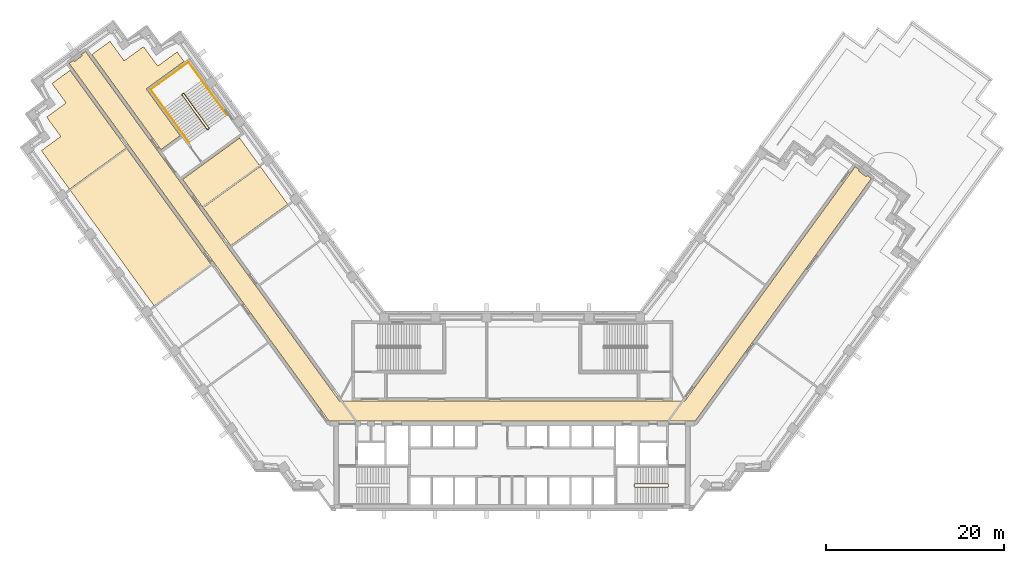
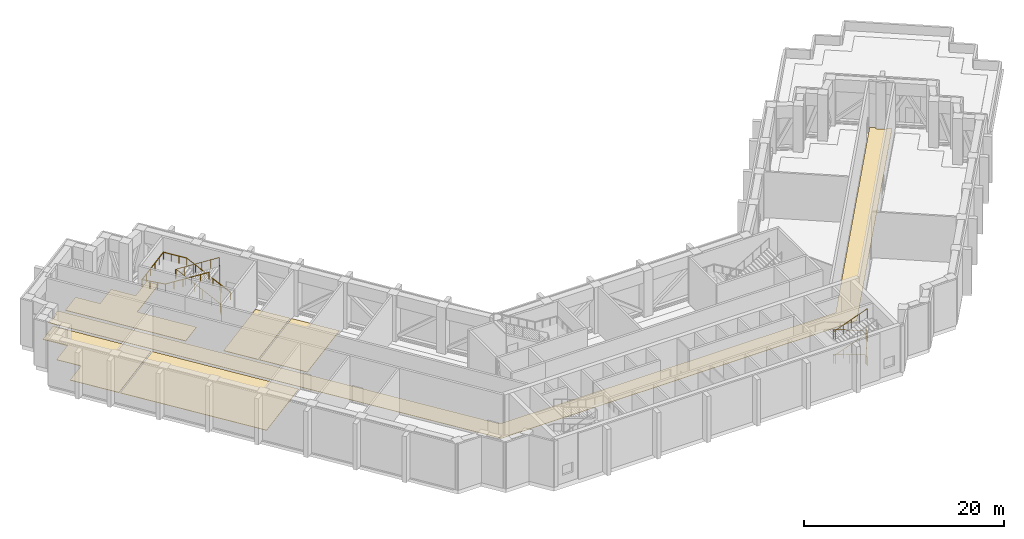
# One storey, part 17 of 18: 6 coverings, 3 railings.
"""IFC4 building model written with IfcOpenShell, lengths in metres."""

from ifc_helpers import new_model, si_unit, direction, frame, origin, origin_2d, place, context, subcontext, project, spatial, polyline, circle, outline, extrude, material, layer, layer_set, type_object, element, save


model = new_model("IFC4")

# Units and contexts
model_context = context("Model", 3, precision=1e-05, world=origin(), true_north=direction((0.0, 1.0)))
body_context = subcontext(model_context, "Body", "Model", "MODEL_VIEW")
ifc_project = project(units=[si_unit("LENGTHUNIT", "METRE"), si_unit("AREAUNIT", "SQUARE_METRE"), si_unit("VOLUMEUNIT", "CUBIC_METRE"), si_unit("PLANEANGLEUNIT", "RADIAN"), si_unit("MASSUNIT", "GRAM", prefix="KILO")], contexts=[model_context])

# Site, building, storey
site_placement = place(None, origin())
site = spatial("IfcSite", under=ifc_project, at=site_placement, CompositionType="ELEMENT")
building_placement = place(site_placement, origin())
building = spatial("IfcBuilding", under=site, at=building_placement, Name="Quipu Civic Tower", CompositionType="ELEMENT")
storey_placement = place(building_placement, frame((0.0, 0.0, 79.0)))
storey = spatial("IfcBuildingStorey", under=building, at=storey_placement, Name="L18", CompositionType="ELEMENT", Elevation=79.0)

# Coverings
ifc_material_1 = material(Name="Sealed cement screed")
ifc_layer_1 = layer(ifc_material_1, 0.050048828125)
ifc_layer_set_1 = layer_set([ifc_layer_1], Name="Sealed cement screed")
covering_type_1 = type_object("IfcCoveringType", Name="Sealed screed floor finish 50", PredefinedType="FLOORING", material=ifc_layer_set_1)
covering_1_placement = place(storey_placement, origin())
element("IfcCovering", 1, at=covering_1_placement, inside=storey, type_object=covering_type_1, Name="Sealed screed floor finish 50", PredefinedType="FLOORING", context=body_context, shape_type="SweptSolid", body=[
    extrude(outline(polyline([(-47.237060546875, 40.074951171875), (-45.2060546875, 41.549072265625), (-43.617919921875, 39.365966796875), (-41.43408203125, 40.951904296875), (-39.846923828125, 38.76806640625), (-37.6630859375, 40.35498046875), (-36.89404296875, 39.294921875), (-41.139892578125, 36.2080078125), (-37.320068359375, 30.949951171875), (-39.472900390625, 29.386962890625), (-47.237060546875, 40.074951171875)])), origin(), (0.0, 0.0, 1.0), 0.050048828125),
])
covering_2_placement = place(storey_placement, origin())
element("IfcCovering", 2, at=covering_2_placement, inside=storey, type_object=covering_type_1, Name="Sealed screed floor finish 50", PredefinedType="FLOORING", context=body_context, shape_type="SweptSolid", body=[
    extrude(outline(polyline([(-49.68603515625, 24.81591796875), (-43.285888671875, 29.465087890625), (-33.846923828125, 16.471923828125), (-40.24609375, 11.822998046875), (-49.68603515625, 24.81591796875)])), origin(), (0.0, 0.0, 1.0), 0.050048828125),
])
covering_3_placement = place(storey_placement, origin())
element("IfcCovering", 3, at=covering_3_placement, inside=storey, type_object=covering_type_1, Name="Sealed screed floor finish 50", PredefinedType="FLOORING", context=body_context, shape_type="SweptSolid", body=[
    extrude(outline(polyline([(-52.9208984375, 29.27001953125), (-50.738037109375, 30.85498046875), (-52.323974609375, 33.041015625), (-50.14111328125, 34.6279296875), (-51.72705078125, 36.81201171875), (-49.696044921875, 38.287109375), (-43.368896484375, 29.577880859375), (-49.76904296875, 24.928955078125), (-52.9208984375, 29.27001953125)])), origin(), (0.0, 0.0, 1.0), 0.050048828125),
])
covering_4_placement = place(storey_placement, origin())
element("IfcCovering", 4, at=covering_4_placement, inside=storey, type_object=covering_type_1, Name="Sealed screed floor finish 50", PredefinedType="FLOORING", context=body_context, shape_type="SweptSolid", body=[
    extrude(outline(polyline([(-37.0380859375, 26.0380859375), (-30.638916015625, 30.68701171875), (-28.403076171875, 27.60791015625), (-34.802978515625, 22.958984375), (-37.0380859375, 26.0380859375)])), origin(), (0.0, 0.0, 1.0), 0.050048828125),
])
covering_5_placement = place(storey_placement, origin())
element("IfcCovering", 5, at=covering_5_placement, inside=storey, type_object=covering_type_1, Name="Sealed screed floor finish 50", PredefinedType="FLOORING", context=body_context, shape_type="SweptSolid", body=[
    extrude(outline(polyline([(-34.719970703125, 22.845947265625), (-28.320068359375, 27.4951171875), (-25.22900390625, 23.239013671875), (-31.6279296875, 18.591064453125), (-34.719970703125, 22.845947265625)])), origin(), (0.0, 0.0, 1.0), 0.050048828125),
])

# Railings
ifc_material_2 = material(Name="Stainless steel", Category="steel")
railing_type_1 = type_object("IfcRailingType", Name="Stair guard 1100", PredefinedType="GUARDRAIL", material=ifc_material_2)
railing_1_placement = place(storey_placement, frame((17.5, -8.199951171875, 0.115478515625)))
element("IfcRailing", 6, at=railing_1_placement, inside=storey, type_object=railing_type_1, Name="Stair 2 guard", PredefinedType="GUARDRAIL", context=body_context, shape_type="SweptSolid", body=[
    extrude(circle(Radius=0.02392578125, at=origin_2d()), frame((0.0, 0.0, 1.076171875), z_axis=(-0.937193329374, 0.0, 0.348810354458), x_axis=(0.0, -1.0, 0.0)), (0.0, 0.0, 1.0), 3.96923828125),
    extrude(circle(Radius=0.02392578125, at=origin_2d()), frame((-3.719970703125, 0.0, 2.46044921875), z_axis=(-0.707106781187, -0.707106781187, 0.0), x_axis=(0.707106781187, -0.707106781187, 0.0)), (0.0, 0.0, 1.0), 0.07080078125),
    extrude(circle(Radius=0.02392578125, at=origin_2d()), frame((-3.77001953125, -0.050048828125, 2.46044921875), z_axis=(0.0, -1.0, 0.0), x_axis=(1.0, 0.0, 0.0)), (0.0, 0.0, 1.0), 0.25),
    extrude(circle(Radius=0.02392578125, at=origin_2d()), frame((-3.77001953125, -0.300048828125, 2.46044921875), z_axis=(0.3695169537, -0.3695169537, 0.852592776099), x_axis=(0.707106781187, 0.707106781187, 0.0)), (0.0, 0.0, 1.0), 0.135498046875),
    extrude(circle(Radius=0.02392578125, at=origin_2d()), frame((-3.719970703125, -0.35009765625, 2.576171875), z_axis=(0.937193329374, 0.0, 0.348810354458), x_axis=(0.0, 1.0, 0.0)), (0.0, 0.0, 1.0), 3.96923828125),
    extrude(circle(Radius=0.02392578125, at=origin_2d()), frame((0.0, -0.35009765625, 3.96044921875), z_axis=(0.164529134168, 0.986372223864, 0.0), x_axis=(-0.986372223864, 0.164529134168, 0.0)), (0.0, 0.0, 1.0), 0.30419921875),
    extrude(circle(Radius=0.02392578125, at=origin_2d()), frame((0.050048828125, -0.050048828125, 3.96044921875), z_axis=(0.0, -1.0, 0.0), x_axis=(1.0, 0.0, 0.0)), (0.0, 0.0, 1.0), 0.25),
    extrude(circle(Radius=0.02392578125, at=origin_2d()), frame((0.050048828125, -0.300048828125, 3.96044921875), z_axis=(-0.153818488509, 0.922160596963, 0.354908024706), x_axis=(-0.986372223864, -0.164529134168, 0.0)), (0.0, 0.0, 1.0), 0.325439453125),
    extrude(circle(Radius=0.02392578125, at=origin_2d()), frame((0.0, 0.0, 4.076171875), z_axis=(-0.937193329374, 0.0, 0.348810354458), x_axis=(0.0, -1.0, 0.0)), (0.0, 0.0, 1.0), 3.96923828125),
    extrude(circle(Radius=0.02392578125, at=origin_2d()), frame((-3.719970703125, 0.0, 5.46044921875), z_axis=(-0.707106781187, -0.707106781187, 0.0), x_axis=(0.707106781187, -0.707106781187, 0.0)), (0.0, 0.0, 1.0), 0.07080078125),
    extrude(circle(Radius=0.02392578125, at=origin_2d()), frame((-3.77001953125, -0.050048828125, 5.46044921875), z_axis=(0.0, -1.0, 0.0), x_axis=(1.0, 0.0, 0.0)), (0.0, 0.0, 1.0), 0.25),
    extrude(circle(Radius=0.02392578125, at=origin_2d()), frame((-3.77001953125, -0.300048828125, 5.46044921875), z_axis=(0.3695169537, -0.3695169537, 0.852592776099), x_axis=(0.707106781187, 0.707106781187, 0.0)), (0.0, 0.0, 1.0), 0.135498046875),
    extrude(circle(Radius=0.02392578125, at=origin_2d()), frame((-3.719970703125, -0.35009765625, 5.576171875), z_axis=(0.937193329374, 0.0, 0.348810354458), x_axis=(0.0, 1.0, 0.0)), (0.0, 0.0, 1.0), 3.96923828125),
    extrude(circle(Radius=0.02392578125, at=origin_2d()), frame((0.0, -0.35009765625, 6.96044921875), z_axis=(0.008330771543, 0.049943991347, -0.998717275296), x_axis=(-0.986372223864, 0.164529134168, 0.0)), (0.0, 0.0, 1.0), 6.0078125),
    extrude(circle(Radius=0.02392578125, at=origin_2d()), frame((0.050048828125, -0.050048828125, 0.96044921875), z_axis=(0.0, -1.0, 0.0), x_axis=(1.0, 0.0, 0.0)), (0.0, 0.0, 1.0), 0.25),
    extrude(circle(Radius=0.02099609375, at=origin_2d()), origin(), (0.0, 0.0, 1.0), 1.052001953125),
    extrude(circle(Radius=0.02099609375, at=origin_2d()), frame((-0.929931640625, 0.0, 0.34619140625)), (0.0, 0.0, 1.0), 1.052001953125),
    extrude(circle(Radius=0.02099609375, at=origin_2d()), frame((-1.85986328125, 0.0, 0.6923828125)), (0.0, 0.0, 1.0), 1.052001953125),
    extrude(circle(Radius=0.02099609375, at=origin_2d()), frame((-2.7900390625, 0.0, 1.038330078125)), (0.0, 0.0, 1.0), 1.052001953125),
    extrude(circle(Radius=0.02099609375, at=origin_2d()), frame((-3.719970703125, 0.0, 1.384521484375)), (0.0, 0.0, 1.0), 1.052001953125),
    extrude(circle(Radius=0.02099609375, at=origin_2d()), frame((-3.77001953125, -0.050048828125, 1.384521484375)), (0.0, 0.0, 1.0), 1.052001953125),
    extrude(circle(Radius=0.02099609375, at=origin_2d()), frame((-3.77001953125, -0.300048828125, 1.384521484375)), (0.0, 0.0, 1.0), 1.052001953125),
    extrude(circle(Radius=0.02099609375, at=origin_2d()), frame((-3.719970703125, -0.35009765625, 1.5)), (0.0, 0.0, 1.0), 1.052001953125),
    extrude(circle(Radius=0.02099609375, at=origin_2d()), frame((-2.7900390625, -0.35009765625, 1.84619140625)), (0.0, 0.0, 1.0), 1.052001953125),
    extrude(circle(Radius=0.02099609375, at=origin_2d()), frame((-1.85986328125, -0.35009765625, 2.1923828125)), (0.0, 0.0, 1.0), 1.052001953125),
    extrude(circle(Radius=0.02099609375, at=origin_2d()), frame((-0.929931640625, -0.35009765625, 2.538330078125)), (0.0, 0.0, 1.0), 1.052001953125),
    extrude(circle(Radius=0.02099609375, at=origin_2d()), frame((0.0, -0.35009765625, 2.884521484375)), (0.0, 0.0, 1.0), 1.052001953125),
    extrude(circle(Radius=0.02099609375, at=origin_2d()), frame((0.050048828125, -0.050048828125, 2.884521484375)), (0.0, 0.0, 1.0), 1.052001953125),
    extrude(circle(Radius=0.02099609375, at=origin_2d()), frame((0.050048828125, -0.300048828125, 2.884521484375)), (0.0, 0.0, 1.0), 1.052001953125),
    extrude(circle(Radius=0.02099609375, at=origin_2d()), frame((0.0, 0.0, 3.0)), (0.0, 0.0, 1.0), 1.052001953125),
    extrude(circle(Radius=0.02099609375, at=origin_2d()), frame((-0.929931640625, 0.0, 3.34619140625)), (0.0, 0.0, 1.0), 1.052001953125),
    extrude(circle(Radius=0.02099609375, at=origin_2d()), frame((-1.85986328125, 0.0, 3.6923828125)), (0.0, 0.0, 1.0), 1.052001953125),
    extrude(circle(Radius=0.02099609375, at=origin_2d()), frame((-2.7900390625, 0.0, 4.038330078125)), (0.0, 0.0, 1.0), 1.052001953125),
    extrude(circle(Radius=0.02099609375, at=origin_2d()), frame((-3.719970703125, 0.0, 4.384521484375)), (0.0, 0.0, 1.0), 1.052001953125),
    extrude(circle(Radius=0.02099609375, at=origin_2d()), frame((-3.77001953125, -0.050048828125, 4.384521484375)), (0.0, 0.0, 1.0), 1.052001953125),
    extrude(circle(Radius=0.02099609375, at=origin_2d()), frame((-3.77001953125, -0.300048828125, 4.384521484375)), (0.0, 0.0, 1.0), 1.052001953125),
    extrude(circle(Radius=0.02099609375, at=origin_2d()), frame((-3.719970703125, -0.35009765625, 4.5)), (0.0, 0.0, 1.0), 1.052001953125),
    extrude(circle(Radius=0.02099609375, at=origin_2d()), frame((-2.7900390625, -0.35009765625, 4.84619140625)), (0.0, 0.0, 1.0), 1.052001953125),
    extrude(circle(Radius=0.02099609375, at=origin_2d()), frame((-1.85986328125, -0.35009765625, 5.1923828125)), (0.0, 0.0, 1.0), 1.052001953125),
    extrude(circle(Radius=0.02099609375, at=origin_2d()), frame((-0.929931640625, -0.35009765625, 5.538330078125)), (0.0, 0.0, 1.0), 1.052001953125),
    extrude(circle(Radius=0.02099609375, at=origin_2d()), frame((0.0, -0.35009765625, 5.884521484375)), (0.0, 0.0, 1.0), 1.052001953125),
    extrude(circle(Radius=0.02099609375, at=origin_2d()), frame((0.00830078125, -0.300048828125, 4.884521484375)), (0.0, 0.0, 1.0), 1.052001953125),
    extrude(circle(Radius=0.02099609375, at=origin_2d()), frame((0.0166015625, -0.25, 3.884521484375)), (0.0, 0.0, 1.0), 1.052001953125),
    extrude(circle(Radius=0.02099609375, at=origin_2d()), frame((0.02490234375, -0.2001953125, 2.884521484375)), (0.0, 0.0, 1.0), 1.052001953125),
    extrude(circle(Radius=0.02099609375, at=origin_2d()), frame((0.033447265625, -0.150146484375, 1.884521484375)), (0.0, 0.0, 1.0), 1.052001953125),
    extrude(circle(Radius=0.02099609375, at=origin_2d()), frame((0.041748046875, -0.10009765625, 0.884521484375)), (0.0, 0.0, 1.0), 1.052001953125),
    extrude(circle(Radius=0.02099609375, at=origin_2d()), frame((0.050048828125, -0.050048828125, -0.115478515625)), (0.0, 0.0, 1.0), 1.052001953125),
    extrude(circle(Radius=0.02099609375, at=origin_2d()), frame((0.050048828125, -0.300048828125, -0.115478515625)), (0.0, 0.0, 1.0), 1.052001953125),
])
railing_2_placement = place(storey_placement, frame((-34.078857421875, 31.79736328125, 0.176513671875)))
element("IfcRailing", 7, at=railing_2_placement, inside=storey, type_object=railing_type_1, Name="Stair 6 guard", PredefinedType="GUARDRAIL", context=body_context, shape_type="SweptSolid", body=[
    extrude(circle(Radius=0.02392578125, at=origin_2d()), frame((0.0, 0.0, 1.076171875), z_axis=(-0.506622290629, 0.697329019968, 0.507016856276), x_axis=(-0.809026317077, -0.587772420479, 0.0)), (0.0, 0.0, 1.0), 5.56884765625),
    extrude(circle(Radius=0.02392578125, at=origin_2d()), frame((-2.8212890625, 3.88330078125, 3.8994140625), z_axis=(-0.987846838465, 0.155430446612, 0.0), x_axis=(-0.155430446612, -0.987846838465, 0.0)), (0.0, 0.0, 1.0), 0.07080078125),
    extrude(circle(Radius=0.02392578125, at=origin_2d()), frame((-2.89111328125, 3.894287109375, 3.8994140625), z_axis=(-0.809649071907, -0.586914287065, 0.0), x_axis=(0.586914287065, -0.809649071907, 0.0)), (0.0, 0.0, 1.0), 0.150146484375),
    extrude(circle(Radius=0.02392578125, at=origin_2d()), frame((-3.0126953125, 3.80615234375, 3.8994140625), z_axis=(-0.057780222547, -0.367225414408, 0.928335575584), x_axis=(0.987846838465, -0.155430446612, 0.0)), (0.0, 0.0, 1.0), 0.190185546875),
    extrude(circle(Radius=0.02392578125, at=origin_2d()), frame((-3.023681640625, 3.736328125, 4.076171875), z_axis=(0.506622290629, -0.697329019968, 0.507016856276), x_axis=(0.809026317077, 0.587772420479, 0.0)), (0.0, 0.0, 1.0), 5.56884765625),
    extrude(circle(Radius=0.02392578125, at=origin_2d()), frame((-0.202392578125, -0.14697265625, 6.8994140625), z_axis=(0.031882188822, 0.012850474066, -0.999409021048), x_axis=(-0.373837031195, 0.92749440651, 0.0)), (0.0, 0.0, 1.0), 6.003662109375),
    extrude(circle(Radius=0.02392578125, at=origin_2d()), frame((-0.010986328125, -0.06982421875, 0.8994140625), z_axis=(-0.809087927272, -0.587687609145, 0.0), x_axis=(0.587687609145, -0.809087927272, 0.0)), (0.0, 0.0, 1.0), 0.14990234375),
    extrude(circle(Radius=0.02099609375, at=origin_2d()), origin(), (0.0, 0.0, 1.0), 1.052001953125),
    extrude(circle(Radius=0.02099609375, at=origin_2d()), frame((-0.564208984375, 0.776611328125, 0.564697265625)), (0.0, 0.0, 1.0), 1.052001953125),
    extrude(circle(Radius=0.02099609375, at=origin_2d()), frame((-1.12841796875, 1.55322265625, 1.12939453125)), (0.0, 0.0, 1.0), 1.052001953125),
    extrude(circle(Radius=0.02099609375, at=origin_2d()), frame((-1.69287109375, 2.330078125, 1.694091796875)), (0.0, 0.0, 1.0), 1.052001953125),
    extrude(circle(Radius=0.02099609375, at=origin_2d()), frame((-2.257080078125, 3.106689453125, 2.2587890625)), (0.0, 0.0, 1.0), 1.052001953125),
    extrude(circle(Radius=0.02099609375, at=origin_2d()), frame((-2.8212890625, 3.88330078125, 2.823486328125)), (0.0, 0.0, 1.0), 1.052001953125),
    extrude(circle(Radius=0.02099609375, at=origin_2d()), frame((-2.89111328125, 3.894287109375, 2.823486328125)), (0.0, 0.0, 1.0), 1.052001953125),
    extrude(circle(Radius=0.02099609375, at=origin_2d()), frame((-3.0126953125, 3.80615234375, 2.823486328125)), (0.0, 0.0, 1.0), 1.052001953125),
    extrude(circle(Radius=0.02099609375, at=origin_2d()), frame((-3.023681640625, 3.736328125, 3.0)), (0.0, 0.0, 1.0), 1.052001953125),
    extrude(circle(Radius=0.02099609375, at=origin_2d()), frame((-2.45947265625, 2.959716796875, 3.564697265625)), (0.0, 0.0, 1.0), 1.052001953125),
    extrude(circle(Radius=0.02099609375, at=origin_2d()), frame((-1.895263671875, 2.18310546875, 4.12939453125)), (0.0, 0.0, 1.0), 1.052001953125),
    extrude(circle(Radius=0.02099609375, at=origin_2d()), frame((-1.330810546875, 1.40625, 4.694091796875)), (0.0, 0.0, 1.0), 1.052001953125),
    extrude(circle(Radius=0.02099609375, at=origin_2d()), frame((-0.7666015625, 0.629638671875, 5.2587890625)), (0.0, 0.0, 1.0), 1.052001953125),
    extrude(circle(Radius=0.02099609375, at=origin_2d()), frame((-0.202392578125, -0.14697265625, 5.823486328125)), (0.0, 0.0, 1.0), 1.052001953125),
    extrude(circle(Radius=0.02099609375, at=origin_2d()), frame((-0.17041015625, -0.134033203125, 4.823486328125)), (0.0, 0.0, 1.0), 1.052001953125),
    extrude(circle(Radius=0.02099609375, at=origin_2d()), frame((-0.138671875, -0.121337890625, 3.823486328125)), (0.0, 0.0, 1.0), 1.052001953125),
    extrude(circle(Radius=0.02099609375, at=origin_2d()), frame((-0.106689453125, -0.1083984375, 2.823486328125)), (0.0, 0.0, 1.0), 1.052001953125),
    extrude(circle(Radius=0.02099609375, at=origin_2d()), frame((-0.07470703125, -0.095458984375, 1.823486328125)), (0.0, 0.0, 1.0), 1.052001953125),
    extrude(circle(Radius=0.02099609375, at=origin_2d()), frame((-0.04296875, -0.082763671875, 0.823486328125)), (0.0, 0.0, 1.0), 1.052001953125),
    extrude(circle(Radius=0.02099609375, at=origin_2d()), frame((-0.010986328125, -0.06982421875, -0.176513671875)), (0.0, 0.0, 1.0), 1.052001953125),
    extrude(circle(Radius=0.02099609375, at=origin_2d()), frame((-0.13232421875, -0.157958984375, -0.176513671875)), (0.0, 0.0, 1.0), 1.052001953125),
])
ifc_material_3 = material(Name="Stainless steel", Category="steel")
railing_type_2 = type_object("IfcRailingType", Name="Stair handrail", PredefinedType="HANDRAIL", material=ifc_material_3)
railing_3_placement = place(storey_placement, frame((-32.056396484375, 33.266845703125, 0.176513671875)))
element("IfcRailing", 8, at=railing_3_placement, inside=storey, type_object=railing_type_2, Name="Stair 6 handrail", PredefinedType="HANDRAIL", context=body_context, shape_type="SweptSolid", body=[
    extrude(circle(Radius=0.02392578125, at=origin_2d()), frame((0.0, 0.0, 0.8759765625), z_axis=(-0.506622290629, 0.697329019968, 0.507016856276), x_axis=(-0.809026317077, -0.587772420479, 0.0)), (0.0, 0.0, 1.0), 5.56884765625),
    extrude(circle(Radius=0.02392578125, at=origin_2d()), frame((-2.8212890625, 3.88330078125, 3.69921875), z_axis=(-0.587767432704, 0.809029940764, 0.0), x_axis=(-0.809029940764, -0.587767432704, 0.0)), (0.0, 0.0, 1.0), 2.550048828125),
    extrude(circle(Radius=0.02392578125, at=origin_2d()), frame((-4.320068359375, 5.9462890625, 3.69921875), z_axis=(-0.809009483706, -0.587795589702, 0.0), x_axis=(0.587795589702, -0.809009483706, 0.0)), (0.0, 0.0, 1.0), 5.25),
    extrude(circle(Radius=0.02392578125, at=origin_2d()), frame((-8.5673828125, 2.8603515625, 3.69921875), z_axis=(0.586364261901, -0.80709855238, 0.069057071405), x_axis=(0.809029940764, 0.587767432704, 0.0)), (0.0, 0.0, 1.0), 2.55615234375),
    extrude(circle(Radius=0.02392578125, at=origin_2d()), frame((-7.068603515625, 0.79736328125, 3.8759765625), z_axis=(0.506622290629, -0.697329019968, 0.507016856276), x_axis=(0.809026317077, 0.587772420479, 0.0)), (0.0, 0.0, 1.0), 5.56884765625),
    extrude(circle(Radius=0.02099609375, at=origin_2d()), origin(), (0.0, 0.0, 1.0), 0.851806640625),
    extrude(circle(Radius=0.02099609375, at=origin_2d()), frame((-0.564208984375, 0.776611328125, 0.564697265625)), (0.0, 0.0, 1.0), 0.851806640625),
    extrude(circle(Radius=0.02099609375, at=origin_2d()), frame((-1.12841796875, 1.55322265625, 1.12939453125)), (0.0, 0.0, 1.0), 0.851806640625),
    extrude(circle(Radius=0.02099609375, at=origin_2d()), frame((-1.69287109375, 2.330078125, 1.694091796875)), (0.0, 0.0, 1.0), 0.851806640625),
    extrude(circle(Radius=0.02099609375, at=origin_2d()), frame((-2.257080078125, 3.106689453125, 2.2587890625)), (0.0, 0.0, 1.0), 0.851806640625),
    extrude(circle(Radius=0.02099609375, at=origin_2d()), frame((-2.8212890625, 3.88330078125, 2.823486328125)), (0.0, 0.0, 1.0), 0.851806640625),
    extrude(circle(Radius=0.02099609375, at=origin_2d()), frame((-3.32080078125, 4.571044921875, 2.823486328125)), (0.0, 0.0, 1.0), 0.851806640625),
    extrude(circle(Radius=0.02099609375, at=origin_2d()), frame((-3.820556640625, 5.258544921875, 2.823486328125)), (0.0, 0.0, 1.0), 0.851806640625),
    extrude(circle(Radius=0.02099609375, at=origin_2d()), frame((-4.320068359375, 5.9462890625, 2.823486328125)), (0.0, 0.0, 1.0), 0.851806640625),
    extrude(circle(Radius=0.02099609375, at=origin_2d()), frame((-5.16943359375, 5.3291015625, 2.823486328125)), (0.0, 0.0, 1.0), 0.851806640625),
    extrude(circle(Radius=0.02099609375, at=origin_2d()), frame((-6.01904296875, 4.7119140625, 2.823486328125)), (0.0, 0.0, 1.0), 0.851806640625),
    extrude(circle(Radius=0.02099609375, at=origin_2d()), frame((-6.868408203125, 4.0947265625, 2.823486328125)), (0.0, 0.0, 1.0), 0.851806640625),
    extrude(circle(Radius=0.02099609375, at=origin_2d()), frame((-7.718017578125, 3.4775390625, 2.823486328125)), (0.0, 0.0, 1.0), 0.851806640625),
    extrude(circle(Radius=0.02099609375, at=origin_2d()), frame((-8.5673828125, 2.8603515625, 2.823486328125)), (0.0, 0.0, 1.0), 0.851806640625),
    extrude(circle(Radius=0.02099609375, at=origin_2d()), frame((-8.06787109375, 2.172607421875, 2.88232421875)), (0.0, 0.0, 1.0), 0.851806640625),
    extrude(circle(Radius=0.02099609375, at=origin_2d()), frame((-7.568115234375, 1.485107421875, 2.941162109375)), (0.0, 0.0, 1.0), 0.851806640625),
    extrude(circle(Radius=0.02099609375, at=origin_2d()), frame((-7.068603515625, 0.79736328125, 3.0)), (0.0, 0.0, 1.0), 0.851806640625),
    extrude(circle(Radius=0.02099609375, at=origin_2d()), frame((-6.50439453125, 0.020751953125, 3.564697265625)), (0.0, 0.0, 1.0), 0.851806640625),
    extrude(circle(Radius=0.02099609375, at=origin_2d()), frame((-5.940185546875, -0.755859375, 4.12939453125)), (0.0, 0.0, 1.0), 0.851806640625),
    extrude(circle(Radius=0.02099609375, at=origin_2d()), frame((-5.375732421875, -1.53271484375, 4.694091796875)), (0.0, 0.0, 1.0), 0.851806640625),
    extrude(circle(Radius=0.02099609375, at=origin_2d()), frame((-4.8115234375, -2.309326171875, 5.2587890625)), (0.0, 0.0, 1.0), 0.851806640625),
    extrude(circle(Radius=0.02099609375, at=origin_2d()), frame((-4.247314453125, -3.0859375, 5.823486328125)), (0.0, 0.0, 1.0), 0.851806640625),
])

# Covering
ifc_material_4 = material(Name="Terrazzo floor finish")
ifc_layer_2 = layer(ifc_material_4, 0.0400390625)
ifc_layer_set_2 = layer_set([ifc_layer_2], Name="Terrazzo floor finish")
covering_type_2 = type_object("IfcCoveringType", Name="Terrazzo floor finish 40", PredefinedType="FLOORING", material=ifc_layer_set_2)
covering_6_placement = place(storey_placement, origin())
element("IfcCovering", 9, at=covering_6_placement, inside=storey, type_object=covering_type_2, Name="Terrazzo floor finish 40", PredefinedType="FLOORING", context=body_context, shape_type="SweptSolid", body=[
    extrude(outline(polyline([(38.55908203125, 27.467041015625), (39.028076171875, 27.1259765625), (38.951904296875, 27.02099609375), (38.948974609375, 27.01708984375), (38.947021484375, 27.011962890625), (38.945068359375, 27.008056640625), (38.944091796875, 27.0029296875), (38.943115234375, 26.998046875), (38.94189453125, 26.992919921875), (38.94189453125, 26.988037109375), (38.943115234375, 26.98388671875), (38.944091796875, 26.97900390625), (38.945068359375, 26.97412109375), (38.947021484375, 26.969970703125), (38.949951171875, 26.965087890625), (38.951904296875, 26.9609375), (38.9560546875, 26.95703125), (38.958984375, 26.9541015625), (38.962890625, 26.950927734375), (39.77197265625, 26.363037109375), (39.77587890625, 26.360107421875), (39.780029296875, 26.35791015625), (39.784912109375, 26.35595703125), (39.7900390625, 26.35498046875), (39.7939453125, 26.35400390625), (39.799072265625, 26.35400390625), (39.803955078125, 26.35400390625), (39.80908203125, 26.35400390625), (39.81396484375, 26.35498046875), (39.819091796875, 26.35693359375), (39.822998046875, 26.35888671875), (39.826904296875, 26.361083984375), (39.8310546875, 26.364013671875), (39.8349609375, 26.366943359375), (39.839111328125, 26.3701171875), (39.842041015625, 26.3740234375), (39.91796875, 26.47900390625), (40.386962890625, 26.138916015625), (20.574951171875, -1.1298828125), (-20.574951171875, -1.1298828125), (-49.7919921875, 39.0830078125), (-49.322998046875, 39.424072265625), (-49.2470703125, 39.319091796875), (-49.243896484375, 39.31494140625), (-49.239990234375, 39.31201171875), (-49.237060546875, 39.30908203125), (-49.23291015625, 39.305908203125), (-49.22802734375, 39.303955078125), (-49.22412109375, 39.302001953125), (-49.218994140625, 39.300048828125), (-49.214111328125, 39.299072265625), (-49.208984375, 39.299072265625), (-49.2041015625, 39.299072265625), (-49.199951171875, 39.299072265625), (-49.195068359375, 39.300048828125), (-49.18994140625, 39.301025390625), (-49.18505859375, 39.302978515625), (-49.180908203125, 39.304931640625), (-49.177001953125, 39.30810546875), (-48.367919921875, 39.89599609375), (-48.364013671875, 39.89892578125), (-48.361083984375, 39.902099609375), (-48.35791015625, 39.906005859375), (-48.35498046875, 39.909912109375), (-48.35205078125, 39.9140625), (-48.35009765625, 39.9189453125), (-48.34912109375, 39.924072265625), (-48.347900390625, 39.927978515625), (-48.346923828125, 39.93310546875), (-48.346923828125, 39.93798828125), (-48.347900390625, 39.943115234375), (-48.34912109375, 39.947998046875), (-48.35009765625, 39.952880859375), (-48.35205078125, 39.95703125), (-48.35400390625, 39.9619140625), (-48.35693359375, 39.966064453125), (-48.43310546875, 40.070068359375), (-47.962890625, 40.410888671875), (-19.425048828125, 1.1298828125), (19.425048828125, 1.1298828125), (38.55908203125, 27.467041015625)])), origin(), (0.0, 0.0, 1.0), 0.0400390625),
])

save(model, "model.ifc")
